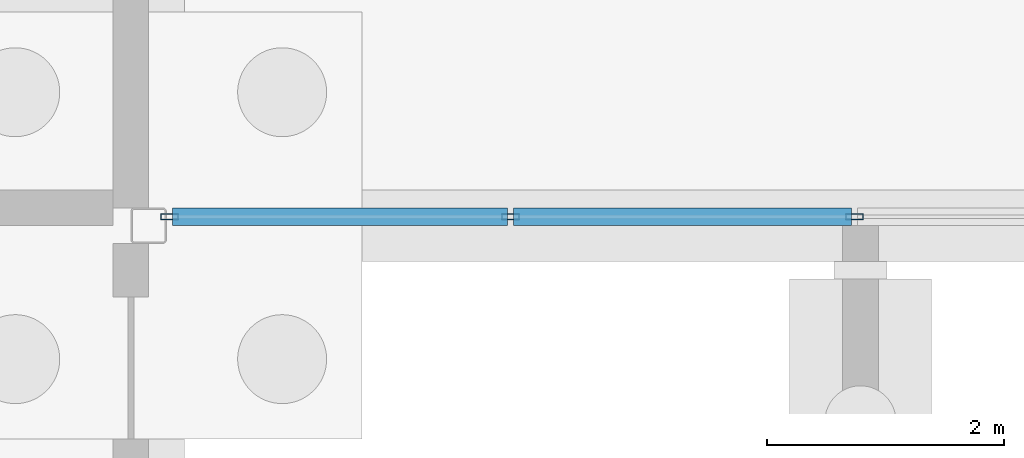
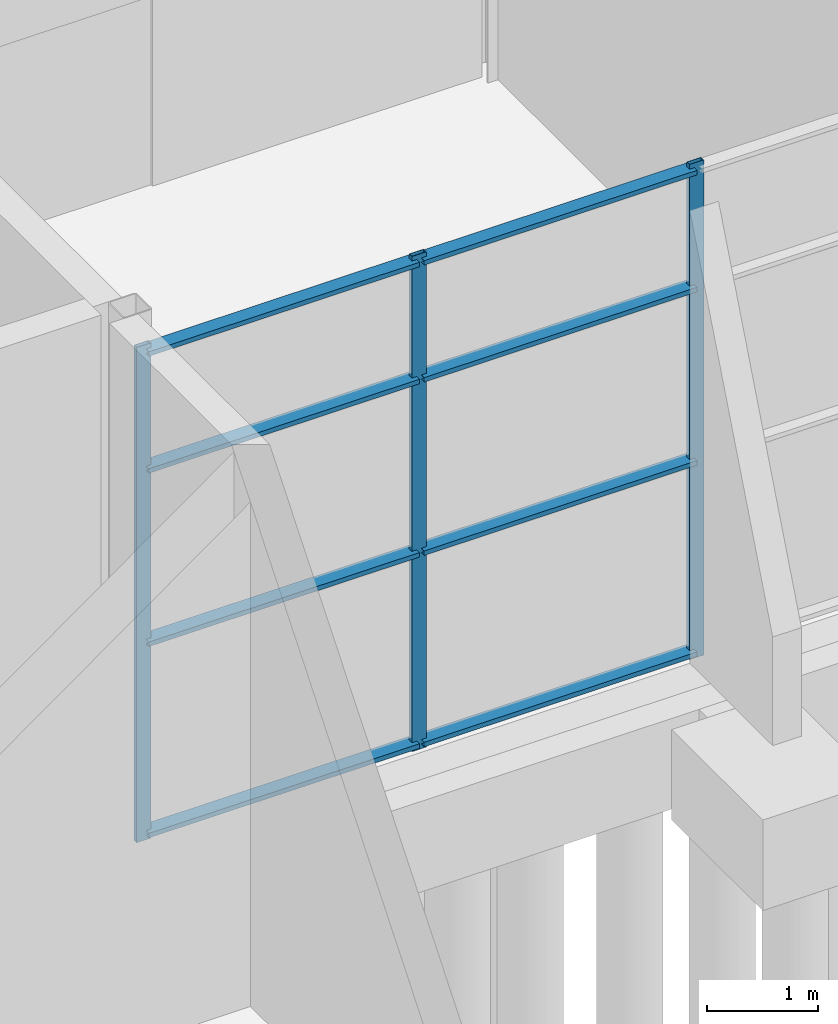
# One storey, part 47 of 139: 11 members, 1 element without a shape of its own.
"""IFC4 building model written with IfcOpenShell, lengths in metres."""

from ifc_helpers import new_model, si_unit, direction, frame, origin, origin_2d, place, context, subcontext, project, spatial, hollow_rectangle, extrude, material, layer, layer_set, material_profile, profile_set, type_object, element, aggregate, save


model = new_model("IFC4")

# Units and contexts
model_context = context("Model", 3, precision=1e-05, world=origin(), true_north=direction((0.0, 1.0)))
body_context = subcontext(model_context, "Body", "Model", "MODEL_VIEW")
ifc_project = project(units=[si_unit("LENGTHUNIT", "METRE"), si_unit("AREAUNIT", "SQUARE_METRE"), si_unit("VOLUMEUNIT", "CUBIC_METRE"), si_unit("PLANEANGLEUNIT", "RADIAN"), si_unit("MASSUNIT", "GRAM", prefix="KILO")], contexts=[model_context])

# Site, building, storey
site_placement = place(None, origin())
site = spatial("IfcSite", under=ifc_project, at=site_placement, CompositionType="ELEMENT")
building_placement = place(site_placement, origin())
building = spatial("IfcBuilding", under=site, at=building_placement, Name="Shorebreak Coast Museum", CompositionType="ELEMENT")
storey_placement = place(building_placement, origin())
storey = spatial("IfcBuildingStorey", under=building, at=storey_placement, Name="L00", CompositionType="ELEMENT", Elevation=0.0)

# Curtain wall, members
ifc_material_1 = material(Name="Aluminium", Category="aluminium")
ifc_layer = layer(ifc_material_1, 0.14990234375)
ifc_layer_set = layer_set([ifc_layer], Name="Aluminium")
curtain_wall_type = type_object("IfcCurtainWallType", Name="Storefront curtain wall", PredefinedType="NOTDEFINED", material=ifc_layer_set)
curtain_wall_placement = place(storey_placement, origin())
curtain_wall = element("IfcCurtainWall", 1, at=curtain_wall_placement, inside=storey, type_object=curtain_wall_type, Name="Storefront L00 S 8", PredefinedType="NOTDEFINED")
ifc_material_2 = material(Name="Aluminium", Category="aluminium")
ifc_material_profile_1 = material_profile(ifc_material_2, hollow_rectangle(XDim=0.050048828125, YDim=0.14990234375, WallThickness=0.00390625, at=origin_2d()), Name="AL 150x50 RHS")
ifc_profile_set_1 = profile_set([ifc_material_profile_1], Name="Aluminium")
member_type_1 = type_object("IfcMemberType", Name="Storefront mullion 50 x 150", PredefinedType="MULLION", material=ifc_profile_set_1)
member_1_placement = place(storey_placement, frame((117.175048828125, 54.074951171875, 0.0), z_axis=(0.0, 0.0, 1.0), x_axis=(0.0, 1.0, 0.0)))
member_1 = element("IfcMember", 2, at=member_1_placement, type_object=member_type_1, Name="CW8 mullion 1", PredefinedType="MULLION", context=body_context, shape_type="SweptSolid", body=[
    extrude(hollow_rectangle(XDim=0.050048828125, YDim=0.14990234375, WallThickness=0.00390625, at=origin_2d()), origin(), (0.0, 0.0, 1.0), 5.469482421875),
])
member_2_placement = place(storey_placement, frame((120.050048828125, 54.074951171875, 0.0), z_axis=(0.0, 0.0, 1.0), x_axis=(0.0, 1.0, 0.0)))
member_2 = element("IfcMember", 3, at=member_2_placement, type_object=member_type_1, Name="CW8 mullion 2", PredefinedType="MULLION", context=body_context, shape_type="SweptSolid", body=[
    extrude(hollow_rectangle(XDim=0.050048828125, YDim=0.14990234375, WallThickness=0.00390625, at=origin_2d()), origin(), (0.0, 0.0, 1.0), 5.469482421875),
])
member_3_placement = place(storey_placement, frame((122.949951171875, 54.074951171875, 0.0), z_axis=(0.0, 0.0, 1.0), x_axis=(0.0, 1.0, 0.0)))
member_3 = element("IfcMember", 4, at=member_3_placement, type_object=member_type_1, Name="CW8 mullion 3", PredefinedType="MULLION", context=body_context, shape_type="SweptSolid", body=[
    extrude(hollow_rectangle(XDim=0.050048828125, YDim=0.14990234375, WallThickness=0.00390625, at=origin_2d()), origin(), (0.0, 0.0, 1.0), 5.469482421875),
])
ifc_material_3 = material(Name="Aluminium", Category="aluminium")
ifc_material_profile_2 = material_profile(ifc_material_3, hollow_rectangle(XDim=0.14990234375, YDim=0.050048828125, WallThickness=0.00390625, at=origin_2d()), Name="AL 50x150 RHS")
ifc_profile_set_2 = profile_set([ifc_material_profile_2], Name="Aluminium")
member_type_2 = type_object("IfcMemberType", Name="Storefront transom 150 x 50", PredefinedType="USERDEFINED", material=ifc_profile_set_2)
member_4_placement = place(storey_placement, frame((117.199951171875, 54.074951171875, 0.074951171875), z_axis=(1.0, 0.0, 0.0), x_axis=(0.0, 1.0, 0.0)))
member_4 = element("IfcMember", 5, at=member_4_placement, type_object=member_type_2, Name="CW8 transom 1.1", ObjectType="TRANSOM", PredefinedType="USERDEFINED", context=body_context, shape_type="SweptSolid", body=[
    extrude(hollow_rectangle(XDim=0.14990234375, YDim=0.050048828125, WallThickness=0.00390625, at=origin_2d()), origin(), (0.0, 0.0, 1.0), 2.824951171875),
])
member_5_placement = place(storey_placement, frame((117.199951171875, 54.074951171875, 2.187744140625), z_axis=(1.0, 0.0, 0.0), x_axis=(0.0, 1.0, 0.0)))
member_5 = element("IfcMember", 6, at=member_5_placement, type_object=member_type_2, Name="CW8 transom 1.2", ObjectType="TRANSOM", PredefinedType="USERDEFINED", context=body_context, shape_type="SweptSolid", body=[
    extrude(hollow_rectangle(XDim=0.14990234375, YDim=0.050048828125, WallThickness=0.00390625, at=origin_2d()), origin(), (0.0, 0.0, 1.0), 2.824951171875),
])
member_6_placement = place(storey_placement, frame((117.199951171875, 54.074951171875, 4.10205078125), z_axis=(1.0, 0.0, 0.0), x_axis=(0.0, 1.0, 0.0)))
member_6 = element("IfcMember", 7, at=member_6_placement, type_object=member_type_2, Name="CW8 transom 1.3", ObjectType="TRANSOM", PredefinedType="USERDEFINED", context=body_context, shape_type="SweptSolid", body=[
    extrude(hollow_rectangle(XDim=0.14990234375, YDim=0.050048828125, WallThickness=0.00390625, at=origin_2d()), origin(), (0.0, 0.0, 1.0), 2.824951171875),
])
member_7_placement = place(storey_placement, frame((117.199951171875, 54.074951171875, 5.394287109375), z_axis=(1.0, 0.0, 0.0), x_axis=(0.0, 1.0, 0.0)))
member_7 = element("IfcMember", 8, at=member_7_placement, type_object=member_type_2, Name="CW8 transom 1.4", ObjectType="TRANSOM", PredefinedType="USERDEFINED", context=body_context, shape_type="SweptSolid", body=[
    extrude(hollow_rectangle(XDim=0.14990234375, YDim=0.050048828125, WallThickness=0.00390625, at=origin_2d()), origin(), (0.0, 0.0, 1.0), 2.824951171875),
])
member_8_placement = place(storey_placement, frame((120.074951171875, 54.074951171875, 0.074951171875), z_axis=(1.0, 0.0, 0.0), x_axis=(0.0, 1.0, 0.0)))
member_8 = element("IfcMember", 9, at=member_8_placement, type_object=member_type_2, Name="CW8 transom 2.1", ObjectType="TRANSOM", PredefinedType="USERDEFINED", context=body_context, shape_type="SweptSolid", body=[
    extrude(hollow_rectangle(XDim=0.14990234375, YDim=0.050048828125, WallThickness=0.00390625, at=origin_2d()), origin(), (0.0, 0.0, 1.0), 2.85009765625),
])
member_9_placement = place(storey_placement, frame((120.074951171875, 54.074951171875, 2.187744140625), z_axis=(1.0, 0.0, 0.0), x_axis=(0.0, 1.0, 0.0)))
member_9 = element("IfcMember", 10, at=member_9_placement, type_object=member_type_2, Name="CW8 transom 2.2", ObjectType="TRANSOM", PredefinedType="USERDEFINED", context=body_context, shape_type="SweptSolid", body=[
    extrude(hollow_rectangle(XDim=0.14990234375, YDim=0.050048828125, WallThickness=0.00390625, at=origin_2d()), origin(), (0.0, 0.0, 1.0), 2.85009765625),
])
member_10_placement = place(storey_placement, frame((120.074951171875, 54.074951171875, 4.10205078125), z_axis=(1.0, 0.0, 0.0), x_axis=(0.0, 1.0, 0.0)))
member_10 = element("IfcMember", 11, at=member_10_placement, type_object=member_type_2, Name="CW8 transom 2.3", ObjectType="TRANSOM", PredefinedType="USERDEFINED", context=body_context, shape_type="SweptSolid", body=[
    extrude(hollow_rectangle(XDim=0.14990234375, YDim=0.050048828125, WallThickness=0.00390625, at=origin_2d()), origin(), (0.0, 0.0, 1.0), 2.85009765625),
])
member_11_placement = place(storey_placement, frame((120.074951171875, 54.074951171875, 5.394287109375), z_axis=(1.0, 0.0, 0.0), x_axis=(0.0, 1.0, 0.0)))
member_11 = element("IfcMember", 12, at=member_11_placement, type_object=member_type_2, Name="CW8 transom 2.4", ObjectType="TRANSOM", PredefinedType="USERDEFINED", context=body_context, shape_type="SweptSolid", body=[
    extrude(hollow_rectangle(XDim=0.14990234375, YDim=0.050048828125, WallThickness=0.00390625, at=origin_2d()), origin(), (0.0, 0.0, 1.0), 2.85009765625),
])
aggregate(curtain_wall, [member_1, member_2, member_3, member_4, member_5, member_6, member_7, member_8, member_9, member_10, member_11])

save(model, "model.ifc")
